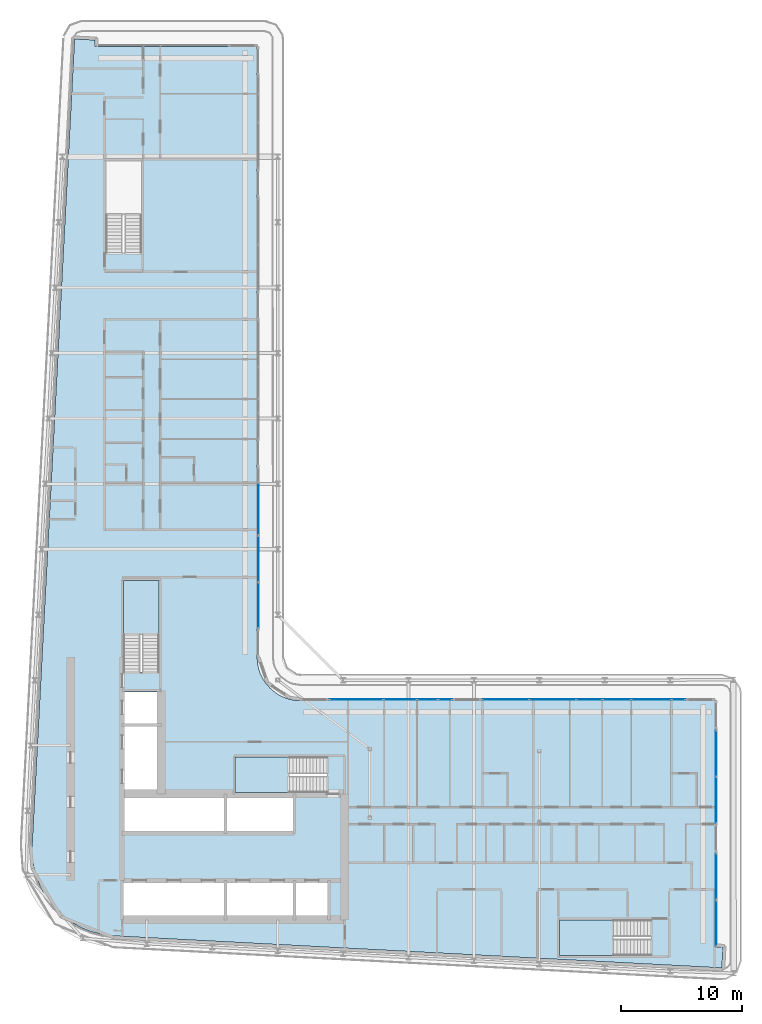
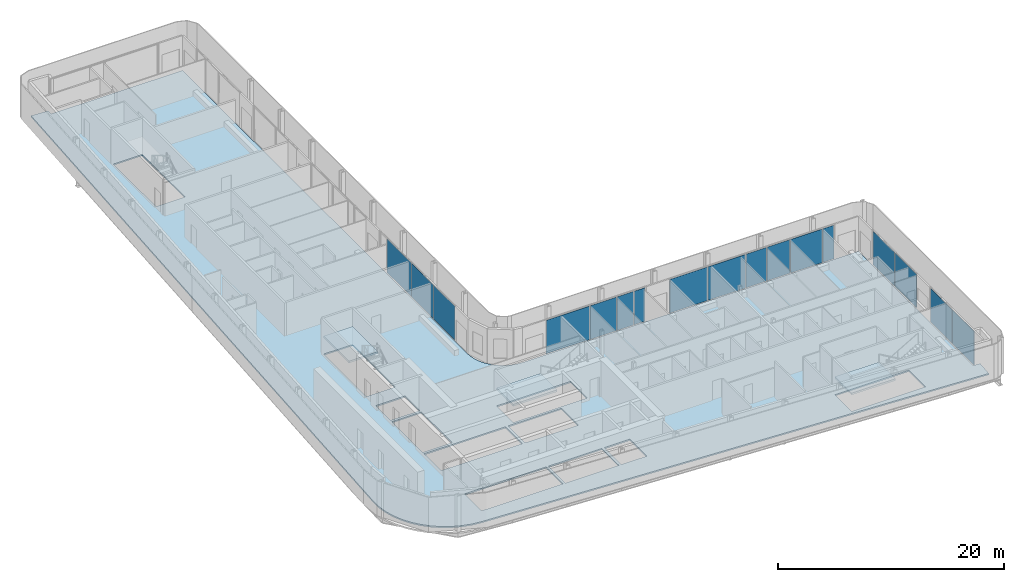
# One storey, part 8 of 23: 17 plates, 4 slabs, 11 elements without a shape of their own.
"""IFC4 building model written with IfcOpenShell, lengths in metres."""

from ifc_helpers import new_model, si_unit, direction, frame, origin, origin_2d, place, context, subcontext, project, spatial, polyline, rectangle, outline, extrude, material, layer, layer_set, type_object, element, aggregate, save


model = new_model("IFC4")

# Units and contexts
model_context = context("Model", 3, precision=1e-05, world=origin(), true_north=direction((0.0, 1.0)))
body_context = subcontext(model_context, "Body", "Model", "MODEL_VIEW")
ifc_project = project(units=[si_unit("LENGTHUNIT", "METRE"), si_unit("AREAUNIT", "SQUARE_METRE"), si_unit("VOLUMEUNIT", "CUBIC_METRE"), si_unit("PLANEANGLEUNIT", "RADIAN"), si_unit("MASSUNIT", "GRAM", prefix="KILO")], contexts=[model_context])

# Site, building, storey
site_placement = place(None, origin())
site = spatial("IfcSite", under=ifc_project, at=site_placement, CompositionType="ELEMENT")
building_placement = place(site_placement, origin())
building = spatial("IfcBuilding", under=site, at=building_placement, Name="Kheshtan School and Residences Tower", CompositionType="ELEMENT")
storey_placement = place(building_placement, frame((0.0, 0.0, 239.60009765625)))
storey = spatial("IfcBuildingStorey", under=building, at=storey_placement, Name="L56", CompositionType="ELEMENT", Elevation=239.60009765625)

# Curtain wall, plate
ifc_material_1 = material(Name="Clear low-e glass in thermally broken aluminium frame", Category="aluminium")
ifc_layer_1 = layer(ifc_material_1, 0.199951171875)
ifc_layer_set_1 = layer_set([ifc_layer_1], Name="Curtain wall CW-L")
curtain_wall_type = type_object("IfcCurtainWallType", Name="Curtain wall CW-L", PredefinedType="NOTDEFINED", material=ifc_layer_set_1)
curtain_wall_1_placement = place(storey_placement, origin())
curtain_wall_1 = element("IfcCurtainWall", 1, at=curtain_wall_1_placement, inside=storey, type_object=curtain_wall_type, Name="Curtain wall CWL8l", PredefinedType="NOTDEFINED")
ifc_layer_2 = layer(ifc_material_1, 0.031982421875)
ifc_layer_set_2 = layer_set([ifc_layer_2], Name="CW-L glass panel")
plate_type = type_object("IfcPlateType", Name="CW-L glass panel", PredefinedType="CURTAIN_PANEL", material=ifc_layer_set_2)
plate_1_placement = place(storey_placement, frame((46.0, 59.72705078125, 0.0), z_axis=(0.0, 0.0, 1.0), x_axis=(0.0, -1.0, 0.0)))
plate_1 = element("IfcPlate", 2, at=plate_1_placement, type_object=plate_type, Name="CWL8l panel 2.1", PredefinedType="CURTAIN_PANEL", context=body_context, shape_type="SweptSolid", body=[
    extrude(rectangle(XDim=4.285888671875, YDim=0.031982421875, at=origin_2d()), origin(), (0.0, 0.0, 1.0), 3.6298828125),
])
aggregate(curtain_wall_1, [plate_1])

# Curtain wall, plates
curtain_wall_2_placement = place(storey_placement, origin())
curtain_wall_2 = element("IfcCurtainWall", 3, at=curtain_wall_2_placement, inside=storey, type_object=curtain_wall_type, Name="Curtain wall CWL8", PredefinedType="NOTDEFINED")
plate_2_placement = place(storey_placement, frame((46.0, 55.615478515625, 0.0), z_axis=(0.0, 0.0, 1.0), x_axis=(0.0, -1.0, 0.0)))
plate_2 = element("IfcPlate", 4, at=plate_2_placement, type_object=plate_type, Name="CWL8 panel 1.1", PredefinedType="CURTAIN_PANEL", context=body_context, shape_type="SweptSolid", body=[
    extrude(rectangle(XDim=3.81689453125, YDim=0.031982421875, at=origin_2d()), origin(), (0.0, 0.0, 1.0), 3.6298828125),
])
plate_3_placement = place(storey_placement, frame((46.0, 51.7685546875, 0.0), z_axis=(0.0, 0.0, 1.0), x_axis=(0.0, -1.0, 0.0)))
plate_3 = element("IfcPlate", 5, at=plate_3_placement, type_object=plate_type, Name="CWL8 panel 2.1", PredefinedType="CURTAIN_PANEL", context=body_context, shape_type="SweptSolid", body=[
    extrude(rectangle(XDim=3.757080078125, YDim=0.031982421875, at=origin_2d()), origin(), (0.0, 0.0, 1.0), 3.6298828125),
])
aggregate(curtain_wall_2, [plate_2, plate_3])

curtain_wall_3_placement = place(storey_placement, origin())
curtain_wall_3 = element("IfcCurtainWall", 6, at=curtain_wall_3_placement, inside=storey, type_object=curtain_wall_type, Name="Curtain wall CWL1228", PredefinedType="NOTDEFINED")
plate_4_placement = place(storey_placement, frame((54.100830078125, 44.0, 0.0), z_axis=(0.0, 0.0, 1.0), x_axis=(1.0, 0.0, 0.0)))
plate_4 = element("IfcPlate", 7, at=plate_4_placement, type_object=plate_type, Name="CWL1228 panel 1.1", PredefinedType="CURTAIN_PANEL", context=body_context, shape_type="SweptSolid", body=[
    extrude(rectangle(XDim=4.421630859375, YDim=0.031982421875, at=origin_2d()), origin(), (0.0, 0.0, 1.0), 3.6298828125),
])
plate_5_placement = place(storey_placement, frame((57.720947265625, 44.0, 0.0), z_axis=(0.0, 0.0, 1.0), x_axis=(1.0, 0.0, 0.0)))
plate_5 = element("IfcPlate", 8, at=plate_5_placement, type_object=plate_type, Name="CWL1228 panel 2.1", PredefinedType="CURTAIN_PANEL", context=body_context, shape_type="SweptSolid", body=[
    extrude(rectangle(XDim=2.6982421875, YDim=0.031982421875, at=origin_2d()), origin(), (0.0, 0.0, 1.0), 3.6298828125),
])
plate_6_placement = place(storey_placement, frame((59.961669921875, 44.0, 0.0), z_axis=(0.0, 0.0, 1.0), x_axis=(1.0, 0.0, 0.0)))
plate_6 = element("IfcPlate", 9, at=plate_6_placement, type_object=plate_type, Name="CWL1228 panel 3.1", PredefinedType="CURTAIN_PANEL", context=body_context, shape_type="SweptSolid", body=[
    extrude(rectangle(XDim=1.663330078125, YDim=0.031982421875, at=origin_2d()), origin(), (0.0, 0.0, 1.0), 3.6298828125),
])
aggregate(curtain_wall_3, [plate_4, plate_5, plate_6])

# Curtain wall, plate
curtain_wall_4_placement = place(storey_placement, origin())
curtain_wall_4 = element("IfcCurtainWall", 10, at=curtain_wall_4_placement, inside=storey, type_object=curtain_wall_type, Name="Curtain wall CWL12b", PredefinedType="NOTDEFINED")
plate_7_placement = place(storey_placement, frame((61.42333984375, 44.0, 0.0), z_axis=(0.0, 0.0, 1.0), x_axis=(1.0, 0.0, 0.0)))
plate_7 = element("IfcPlate", 11, at=plate_7_placement, type_object=plate_type, Name="CWL12b panel 1.1", PredefinedType="CURTAIN_PANEL", context=body_context, shape_type="SweptSolid", body=[
    extrude(rectangle(XDim=1.139892578125, YDim=0.031982421875, at=origin_2d()), origin(), (0.0, 0.0, 1.0), 3.6298828125),
])
aggregate(curtain_wall_4, [plate_7])

# Curtain wall, plates
curtain_wall_5_placement = place(storey_placement, origin())
curtain_wall_5 = element("IfcCurtainWall", 12, at=curtain_wall_5_placement, inside=storey, type_object=curtain_wall_type, Name="Curtain wall CWL1229", PredefinedType="NOTDEFINED")
plate_8_placement = place(storey_placement, frame((66.424072265625, 44.0, 0.0), z_axis=(0.0, 0.0, 1.0), x_axis=(1.0, 0.0, 0.0)))
plate_8 = element("IfcPlate", 13, at=plate_8_placement, type_object=plate_type, Name="CWL1229 panel 1.1", PredefinedType="CURTAIN_PANEL", context=body_context, shape_type="SweptSolid", body=[
    extrude(rectangle(XDim=3.82177734375, YDim=0.031982421875, at=origin_2d()), origin(), (0.0, 0.0, 1.0), 3.6298828125),
])
plate_9_placement = place(storey_placement, frame((70.305908203125, 44.0, 0.0), z_axis=(0.0, 0.0, 1.0), x_axis=(1.0, 0.0, 0.0)))
plate_9 = element("IfcPlate", 14, at=plate_9_placement, type_object=plate_type, Name="CWL1229 panel 2.1", PredefinedType="CURTAIN_PANEL", context=body_context, shape_type="SweptSolid", body=[
    extrude(rectangle(XDim=3.82177734375, YDim=0.031982421875, at=origin_2d()), origin(), (0.0, 0.0, 1.0), 3.6298828125),
])
aggregate(curtain_wall_5, [plate_8, plate_9])

curtain_wall_6_placement = place(storey_placement, origin())
curtain_wall_6 = element("IfcCurtainWall", 15, at=curtain_wall_6_placement, inside=storey, type_object=curtain_wall_type, Name="Curtain wall CWL1230", PredefinedType="NOTDEFINED")
plate_10_placement = place(storey_placement, frame((73.3232421875, 44.0, 0.0), z_axis=(0.0, 0.0, 1.0), x_axis=(1.0, 0.0, 0.0)))
plate_10 = element("IfcPlate", 16, at=plate_10_placement, type_object=plate_type, Name="CWL1230 panel 1.1", PredefinedType="CURTAIN_PANEL", context=body_context, shape_type="SweptSolid", body=[
    extrude(rectangle(XDim=2.09326171875, YDim=0.031982421875, at=origin_2d()), origin(), (0.0, 0.0, 1.0), 3.6298828125),
])
plate_11_placement = place(storey_placement, frame((75.59423828125, 44.0, 0.0), z_axis=(0.0, 0.0, 1.0), x_axis=(1.0, 0.0, 0.0)))
plate_11 = element("IfcPlate", 17, at=plate_11_placement, type_object=plate_type, Name="CWL1230 panel 2.1", PredefinedType="CURTAIN_PANEL", context=body_context, shape_type="SweptSolid", body=[
    extrude(rectangle(XDim=2.328369140625, YDim=0.031982421875, at=origin_2d()), origin(), (0.0, 0.0, 1.0), 3.6298828125),
])
plate_12_placement = place(storey_placement, frame((78.444091796875, 44.0, 0.0), z_axis=(0.0, 0.0, 1.0), x_axis=(1.0, 0.0, 0.0)))
plate_12 = element("IfcPlate", 18, at=plate_12_placement, type_object=plate_type, Name="CWL1230 panel 3.1", PredefinedType="CURTAIN_PANEL", context=body_context, shape_type="SweptSolid", body=[
    extrude(rectangle(XDim=3.251708984375, YDim=0.031982421875, at=origin_2d()), origin(), (0.0, 0.0, 1.0), 3.6298828125),
])
plate_13_placement = place(storey_placement, frame((80.68505859375, 44.0, 0.0), z_axis=(0.0, 0.0, 1.0), x_axis=(1.0, 0.0, 0.0)))
plate_13 = element("IfcPlate", 19, at=plate_13_placement, type_object=plate_type, Name="CWL1230 panel 4.1", PredefinedType="CURTAIN_PANEL", context=body_context, shape_type="SweptSolid", body=[
    extrude(rectangle(XDim=1.110107421875, YDim=0.031982421875, at=origin_2d()), origin(), (0.0, 0.0, 1.0), 3.6298828125),
])
aggregate(curtain_wall_6, [plate_10, plate_11, plate_12, plate_13])

curtain_wall_7_placement = place(storey_placement, origin())
curtain_wall_7 = element("IfcCurtainWall", 20, at=curtain_wall_7_placement, inside=storey, type_object=curtain_wall_type, Name="Curtain wall CWL13c", PredefinedType="NOTDEFINED")
plate_14_placement = place(storey_placement, frame((83.800048828125, 39.54345703125, 0.0), z_axis=(0.0, 0.0, 1.0), x_axis=(0.0, -1.0, 0.0)))
plate_14 = element("IfcPlate", 21, at=plate_14_placement, type_object=plate_type, Name="CWL13c panel 1.1", PredefinedType="CURTAIN_PANEL", context=body_context, shape_type="SweptSolid", body=[
    extrude(rectangle(XDim=3.793212890625, YDim=0.031982421875, at=origin_2d()), origin(), (0.0, 0.0, 1.0), 3.6298828125),
])
plate_15_placement = place(storey_placement, frame((83.800048828125, 35.690185546875, 0.0), z_axis=(0.0, 0.0, 1.0), x_axis=(0.0, -1.0, 0.0)))
plate_15 = element("IfcPlate", 22, at=plate_15_placement, type_object=plate_type, Name="CWL13c panel 2.1", PredefinedType="CURTAIN_PANEL", context=body_context, shape_type="SweptSolid", body=[
    extrude(rectangle(XDim=3.793212890625, YDim=0.031982421875, at=origin_2d()), origin(), (0.0, 0.0, 1.0), 3.6298828125),
])
aggregate(curtain_wall_7, [plate_14, plate_15])

curtain_wall_8_placement = place(storey_placement, origin())
curtain_wall_8 = element("IfcCurtainWall", 23, at=curtain_wall_8_placement, inside=storey, type_object=curtain_wall_type, Name="Curtain wall CWL13c", PredefinedType="NOTDEFINED")
plate_16_placement = place(storey_placement, frame((83.800048828125, 29.376953125, 0.0), z_axis=(0.0, 0.0, 1.0), x_axis=(0.0, -1.0, 0.0)))
plate_16 = element("IfcPlate", 24, at=plate_16_placement, type_object=plate_type, Name="CWL13c panel 1.1", PredefinedType="CURTAIN_PANEL", context=body_context, shape_type="SweptSolid", body=[
    extrude(rectangle(XDim=3.793212890625, YDim=0.031982421875, at=origin_2d()), origin(), (0.0, 0.0, 1.0), 3.6298828125),
])
plate_17_placement = place(storey_placement, frame((83.800048828125, 25.523681640625, 0.0), z_axis=(0.0, 0.0, 1.0), x_axis=(0.0, -1.0, 0.0)))
plate_17 = element("IfcPlate", 25, at=plate_17_placement, type_object=plate_type, Name="CWL13c panel 2.1", PredefinedType="CURTAIN_PANEL", context=body_context, shape_type="SweptSolid", body=[
    extrude(rectangle(XDim=3.793212890625, YDim=0.031982421875, at=origin_2d()), origin(), (0.0, 0.0, 1.0), 3.6298828125),
])
aggregate(curtain_wall_8, [plate_16, plate_17])

# Slab
ifc_material_2 = material(Name="Concrete C40/50", Category="concrete")
ifc_layer_3 = layer(ifc_material_2, 0.14990234375)
ifc_layer_set_3 = layer_set([ifc_layer_3], Name="Floor slab 150 Concrete C40/50")
slab_type_1 = type_object("IfcSlabType", Name="Floor slab 150 Concrete C40/50", PredefinedType="FLOOR", material=ifc_layer_set_3)
slab_1_placement = place(storey_placement, frame((0.0, 0.0, -0.150146484375)))
element("IfcSlab", 26, at=slab_1_placement, inside=storey, type_object=slab_type_1, Name="Floor slab L56", PredefinedType="FLOOR", context=body_context, shape_type="SweptSolid", body=[
    extrude(outline(polyline([(28.0849609375, 28.345947265625), (27.718017578125, 29.200927734375), (27.466064453125, 30.093017578125), (27.466064453125, 30.093994140625), (27.3330078125, 31.013916015625), (27.320068359375, 31.965087890625), (27.320068359375, 31.970947265625), (30.822021484375, 98.5009765625), (30.822998046875, 98.508056640625), (30.825927734375, 98.531005859375), (30.825927734375, 98.531982421875), (30.826904296875, 98.531982421875), (31.422119140625, 98.5), (31.423095703125, 98.5), (31.423095703125, 98.4990234375), (31.423095703125, 98.4951171875), (31.423095703125, 98.493896484375), (31.424072265625, 98.493896484375), (31.424072265625, 98.492919921875), (31.425048828125, 98.492919921875), (31.426025390625, 98.492919921875), (31.426025390625, 98.493896484375), (31.427978515625, 98.49609375), (31.428955078125, 98.4970703125), (31.429931640625, 98.498046875), (31.430908203125, 98.498046875), (31.430908203125, 98.4990234375), (31.431884765625, 98.4990234375), (31.431884765625, 98.5), (31.43505859375, 98.5009765625), (31.43603515625, 98.501953125), (31.43896484375, 98.501953125), (31.43994140625, 98.501953125), (31.43994140625, 98.5029296875), (31.44091796875, 98.5029296875), (31.446044921875, 98.5029296875), (32.5009765625, 98.447021484375), (32.50390625, 98.447021484375), (32.5048828125, 98.447021484375), (32.5048828125, 98.446044921875), (32.506103515625, 98.446044921875), (32.510009765625, 98.446044921875), (32.510009765625, 98.445068359375), (32.510986328125, 98.445068359375), (32.510986328125, 98.444091796875), (32.511962890625, 98.444091796875), (32.511962890625, 98.443115234375), (32.512939453125, 98.443115234375), (32.513916015625, 98.443115234375), (32.513916015625, 98.44189453125), (32.514892578125, 98.44189453125), (32.51611328125, 98.44189453125), (32.51904296875, 98.43896484375), (32.51904296875, 98.43798828125), (32.51904296875, 98.43701171875), (32.52001953125, 98.43701171875), (32.52001953125, 98.43603515625), (32.52099609375, 98.43603515625), (32.52099609375, 98.43408203125), (32.52099609375, 98.43310546875), (32.52197265625, 98.43310546875), (32.52197265625, 98.431884765625), (32.52294921875, 98.431884765625), (32.52294921875, 98.430908203125), (32.52294921875, 98.428955078125), (32.52294921875, 98.427978515625), (32.52392578125, 98.427978515625), (32.52392578125, 98.427001953125), (32.52392578125, 98.422119140625), (32.4970703125, 97.9208984375), (32.4970703125, 97.91796875), (32.4970703125, 97.9169921875), (32.49609375, 97.9169921875), (32.49609375, 97.916015625), (32.49609375, 97.912109375), (32.4951171875, 97.910888671875), (32.4951171875, 97.909912109375), (32.493896484375, 97.909912109375), (32.493896484375, 97.908935546875), (32.492919921875, 97.908935546875), (32.492919921875, 97.907958984375), (32.489013671875, 97.904052734375), (32.488037109375, 97.904052734375), (32.488037109375, 97.903076171875), (32.488037109375, 97.902099609375), (32.488037109375, 97.90087890625), (32.489013671875, 97.90087890625), (32.489013671875, 97.89990234375), (32.489990234375, 97.89990234375), (45.85498046875, 97.89990234375), (45.864990234375, 97.89794921875), (45.865966796875, 97.89794921875), (45.868896484375, 97.89599609375), (45.8740234375, 97.89404296875), (45.8779296875, 97.89208984375), (45.881103515625, 97.889892578125), (45.881103515625, 97.888916015625), (45.882080078125, 97.888916015625), (45.882080078125, 97.887939453125), (45.883056640625, 97.887939453125), (45.884033203125, 97.885009765625), (45.885009765625, 97.885009765625), (45.885009765625, 97.884033203125), (45.887939453125, 97.883056640625), (45.887939453125, 97.882080078125), (45.888916015625, 97.882080078125), (45.888916015625, 97.881103515625), (45.889892578125, 97.881103515625), (45.89208984375, 97.8779296875), (45.89404296875, 97.8740234375), (45.89599609375, 97.868896484375), (45.89794921875, 97.865966796875), (45.89794921875, 97.864990234375), (45.89990234375, 97.85498046875), (45.89990234375, 47.429931640625), (45.927001953125, 47.030029296875), (46.01806640625, 46.570068359375), (46.01806640625, 46.569091796875), (46.169921875, 46.1201171875), (46.37890625, 45.697021484375), (46.638916015625, 45.30810546875), (46.949951171875, 44.950927734375), (46.950927734375, 44.949951171875), (47.30810546875, 44.638916015625), (47.697021484375, 44.37890625), (48.1201171875, 44.169921875), (48.569091796875, 44.01806640625), (48.570068359375, 44.01806640625), (49.030029296875, 43.927001953125), (49.429931640625, 43.89990234375), (83.655029296875, 43.89990234375), (83.659912109375, 43.89892578125), (83.6650390625, 43.89794921875), (83.666015625, 43.89794921875), (83.6689453125, 43.89599609375), (83.674072265625, 43.89404296875), (83.677978515625, 43.89208984375), (83.680908203125, 43.889892578125), (83.680908203125, 43.888916015625), (83.681884765625, 43.888916015625), (83.681884765625, 43.887939453125), (83.68310546875, 43.887939453125), (83.68408203125, 43.885009765625), (83.68505859375, 43.885009765625), (83.68505859375, 43.884033203125), (83.68798828125, 43.883056640625), (83.68798828125, 43.882080078125), (83.68896484375, 43.882080078125), (83.68896484375, 43.881103515625), (83.68994140625, 43.881103515625), (83.69189453125, 43.8779296875), (83.694091796875, 43.8740234375), (83.696044921875, 43.868896484375), (83.697998046875, 43.865966796875), (83.697998046875, 43.864990234375), (83.699951171875, 43.85498046875), (83.699951171875, 23.56201171875), (83.699951171875, 23.56103515625), (83.700927734375, 23.56103515625), (83.700927734375, 23.56005859375), (83.701904296875, 23.56005859375), (83.702880859375, 23.56005859375), (83.702880859375, 23.56103515625), (83.705078125, 23.56298828125), (83.7060546875, 23.56396484375), (83.70703125, 23.56494140625), (83.7080078125, 23.56494140625), (83.7080078125, 23.56591796875), (83.708984375, 23.56591796875), (83.708984375, 23.56689453125), (83.7099609375, 23.56689453125), (83.712890625, 23.569091796875), (83.716064453125, 23.569091796875), (83.717041015625, 23.569091796875), (83.717041015625, 23.570068359375), (83.718017578125, 23.570068359375), (83.722900390625, 23.570068359375), (84.337890625, 23.537109375), (84.341064453125, 23.537109375), (84.342041015625, 23.537109375), (84.342041015625, 23.535888671875), (84.343017578125, 23.535888671875), (84.346923828125, 23.535888671875), (84.346923828125, 23.534912109375), (84.347900390625, 23.534912109375), (84.347900390625, 23.533935546875), (84.34912109375, 23.533935546875), (84.34912109375, 23.532958984375), (84.35009765625, 23.532958984375), (84.35107421875, 23.532958984375), (84.35107421875, 23.531982421875), (84.35205078125, 23.531982421875), (84.35302734375, 23.531982421875), (84.35302734375, 23.531005859375), (84.35498046875, 23.529052734375), (84.35595703125, 23.529052734375), (84.35595703125, 23.528076171875), (84.35595703125, 23.527099609375), (84.35693359375, 23.527099609375), (84.35693359375, 23.52587890625), (84.35791015625, 23.52587890625), (84.35791015625, 23.52490234375), (84.35791015625, 23.52392578125), (84.35791015625, 23.52294921875), (84.35888671875, 23.52294921875), (84.35888671875, 23.52197265625), (84.360107421875, 23.52197265625), (84.360107421875, 23.52099609375), (84.360107421875, 23.51904296875), (84.360107421875, 23.51806640625), (84.361083984375, 23.51806640625), (84.361083984375, 23.51708984375), (84.361083984375, 23.511962890625), (84.304931640625, 22.455078125), (84.304931640625, 22.451904296875), (84.304931640625, 22.450927734375), (84.303955078125, 22.450927734375), (84.303955078125, 22.449951171875), (84.303955078125, 22.446044921875), (84.302978515625, 22.445068359375), (84.302978515625, 22.444091796875), (84.302001953125, 22.444091796875), (84.302001953125, 22.443115234375), (84.301025390625, 22.443115234375), (84.301025390625, 22.44189453125), (84.300048828125, 22.44091796875), (84.298095703125, 22.43896484375), (84.297119140625, 22.43798828125), (84.2958984375, 22.43798828125), (84.2958984375, 22.43701171875), (84.2958984375, 22.43603515625), (84.2958984375, 22.43505859375), (84.297119140625, 22.43505859375), (84.297119140625, 22.43408203125), (84.298095703125, 22.43408203125), (84.299072265625, 22.43408203125), (84.300048828125, 22.43408203125), (84.300048828125, 22.43310546875), (84.26806640625, 21.837890625), (84.26806640625, 21.8369140625), (84.26708984375, 21.8369140625), (84.242919921875, 21.8359375), (84.238037109375, 21.8359375), (34.056884765625, 24.47802734375), (33.114990234375, 24.590087890625), (32.215087890625, 24.819091796875), (32.214111328125, 24.819091796875), (31.35205078125, 25.1630859375), (30.541015625, 25.616943359375), (29.799072265625, 26.1708984375), (29.799072265625, 26.172119140625), (29.798095703125, 26.172119140625), (29.134033203125, 26.820068359375), (29.134033203125, 26.821044921875), (29.133056640625, 26.821044921875), (28.55908203125, 27.550048828125), (28.0849609375, 28.345947265625)]), holes=[polyline([(83.699951171875, 22.44091796875), (83.699951171875, 22.43994140625), (83.699951171875, 22.43603515625), (83.699951171875, 22.43505859375), (83.700927734375, 22.43505859375), (83.700927734375, 22.43408203125), (83.701904296875, 22.43408203125), (83.7060546875, 22.43408203125), (83.70703125, 22.43408203125), (83.70703125, 22.43505859375), (83.7080078125, 22.43505859375), (83.7080078125, 22.43603515625), (83.7080078125, 22.43701171875), (83.70703125, 22.43701171875), (83.7060546875, 22.43798828125), (83.7041015625, 22.43994140625), (83.702880859375, 22.44091796875), (83.702880859375, 22.44189453125), (83.701904296875, 22.44189453125), (83.700927734375, 22.44189453125), (83.700927734375, 22.44091796875), (83.699951171875, 22.44091796875)]), polyline([(31.423095703125, 97.906982421875), (31.423095703125, 97.906005859375), (31.423095703125, 97.902099609375), (31.423095703125, 97.90087890625), (31.424072265625, 97.90087890625), (31.424072265625, 97.89990234375), (31.425048828125, 97.89990234375), (31.428955078125, 97.89990234375), (31.429931640625, 97.89990234375), (31.429931640625, 97.90087890625), (31.430908203125, 97.90087890625), (31.430908203125, 97.902099609375), (31.430908203125, 97.903076171875), (31.429931640625, 97.903076171875), (31.428955078125, 97.904052734375), (31.427978515625, 97.905029296875), (31.427001953125, 97.906005859375), (31.426025390625, 97.906982421875), (31.426025390625, 97.907958984375), (31.425048828125, 97.907958984375), (31.424072265625, 97.907958984375), (31.424072265625, 97.906982421875), (31.423095703125, 97.906982421875)]), polyline([(43.175048828125, 28.925048828125), (34.875, 28.925048828125), (34.875, 25.925048828125), (43.175048828125, 25.925048828125), (43.175048828125, 28.925048828125)]), polyline([(43.175048828125, 36.074951171875), (34.875, 36.074951171875), (34.875, 33.074951171875), (43.175048828125, 33.074951171875), (43.175048828125, 36.074951171875)]), polyline([(34.875, 41.77490234375), (34.875, 36.324951171875), (37.875, 36.324951171875), (37.875, 41.77490234375), (34.875, 41.77490234375)]), polyline([(37.875, 44.625), (34.875, 44.625), (34.875, 42.02490234375), (37.875, 42.02490234375), (37.875, 44.625)]), polyline([(36.25, 46.25), (37.800048828125, 46.25), (37.800048828125, 53.81005859375), (34.85009765625, 53.81005859375), (34.85009765625, 46.260009765625), (36.25, 46.260009765625), (36.25, 46.25)]), polyline([(33.39990234375, 88.4599609375), (33.39990234375, 80.909912109375), (34.800048828125, 80.909912109375), (34.800048828125, 80.89990234375), (36.35009765625, 80.89990234375), (36.35009765625, 88.4599609375), (33.39990234375, 88.4599609375)]), polyline([(70.85009765625, 25.800048828125), (70.85009765625, 22.85009765625), (78.39990234375, 22.85009765625), (78.39990234375, 24.25), (78.409912109375, 24.25), (78.409912109375, 25.800048828125), (70.85009765625, 25.800048828125)]), polyline([(43.425048828125, 28.925048828125), (43.425048828125, 25.925048828125), (48.875, 25.925048828125), (48.875, 28.925048828125), (43.425048828125, 28.925048828125)]), polyline([(49.125, 28.925048828125), (49.125, 25.925048828125), (51.72509765625, 25.925048828125), (51.72509765625, 28.925048828125), (49.125, 28.925048828125)]), polyline([(43.425048828125, 36.074951171875), (43.425048828125, 33.074951171875), (48.875, 33.074951171875), (48.875, 36.074951171875), (43.425048828125, 36.074951171875)]), polyline([(51.64990234375, 37.699951171875), (51.64990234375, 39.25), (44.090087890625, 39.25), (44.090087890625, 36.300048828125), (51.639892578125, 36.300048828125), (51.639892578125, 37.699951171875), (51.64990234375, 37.699951171875)])]), origin(), (0.0, 0.0, 1.0), 0.150146484375),
])

# Stair, slab
stair_type = type_object("IfcStairType", Name="Exit stair, half-turn", PredefinedType="HALF_TURN_STAIR", material=ifc_material_2)
stair_1_placement = place(storey_placement, origin())
stair_1 = element("IfcStair", 27, at=stair_1_placement, inside=storey, type_object=stair_type, Name="L56 Protected Exit Stair ST1", PredefinedType="HALF_TURN_STAIR")
ifc_layer_4 = layer(ifc_material_2, 0.199951171875)
ifc_layer_set_4 = layer_set([ifc_layer_4], Name="Stair landing 200 Concrete C40/50")
slab_type_2 = type_object("IfcSlabType", Name="Stair landing 200 Concrete C40/50", PredefinedType="LANDING", material=ifc_layer_set_4)
slab_2_placement = place(storey_placement, frame((0.0, 0.0, 1.75)))
slab_2 = element("IfcSlab", 28, at=slab_2_placement, type_object=slab_type_2, Name="ST1 landing 1", PredefinedType="LANDING", context=body_context, shape_type="SweptSolid", body=[
    extrude(outline(polyline([(48.570068359375, 39.25), (44.090087890625, 39.25), (44.090087890625, 36.300048828125), (48.570068359375, 36.300048828125), (48.570068359375, 39.25)])), origin(), (0.0, 0.0, 1.0), 0.199951171875),
])
aggregate(stair_1, [slab_2])

stair_2_placement = place(storey_placement, origin())
stair_2 = element("IfcStair", 29, at=stair_2_placement, inside=storey, type_object=stair_type, Name="L56 Protected Exit Stair ST2", PredefinedType="HALF_TURN_STAIR")
slab_3_placement = place(storey_placement, frame((0.0, 0.0, 1.75)))
slab_3 = element("IfcSlab", 30, at=slab_3_placement, type_object=slab_type_2, Name="ST2 landing 1", PredefinedType="LANDING", context=body_context, shape_type="SweptSolid", body=[
    extrude(outline(polyline([(37.800048828125, 49.330078125), (37.800048828125, 53.81005859375), (34.85009765625, 53.81005859375), (34.85009765625, 49.330078125), (37.800048828125, 49.330078125)])), origin(), (0.0, 0.0, 1.0), 0.199951171875),
])
aggregate(stair_2, [slab_3])

stair_3_placement = place(storey_placement, origin())
stair_3 = element("IfcStair", 31, at=stair_3_placement, inside=storey, type_object=stair_type, Name="L56 Protected Exit Stair ST5", PredefinedType="HALF_TURN_STAIR")
slab_4_placement = place(storey_placement, frame((0.0, 0.0, 1.75)))
slab_4 = element("IfcSlab", 32, at=slab_4_placement, type_object=slab_type_2, Name="ST5 landing 1", PredefinedType="LANDING", context=body_context, shape_type="SweptSolid", body=[
    extrude(outline(polyline([(75.330078125, 25.800048828125), (70.85009765625, 25.800048828125), (70.85009765625, 22.85009765625), (75.330078125, 22.85009765625), (75.330078125, 25.800048828125)])), origin(), (0.0, 0.0, 1.0), 0.199951171875),
])
aggregate(stair_3, [slab_4])

save(model, "model.ifc")
